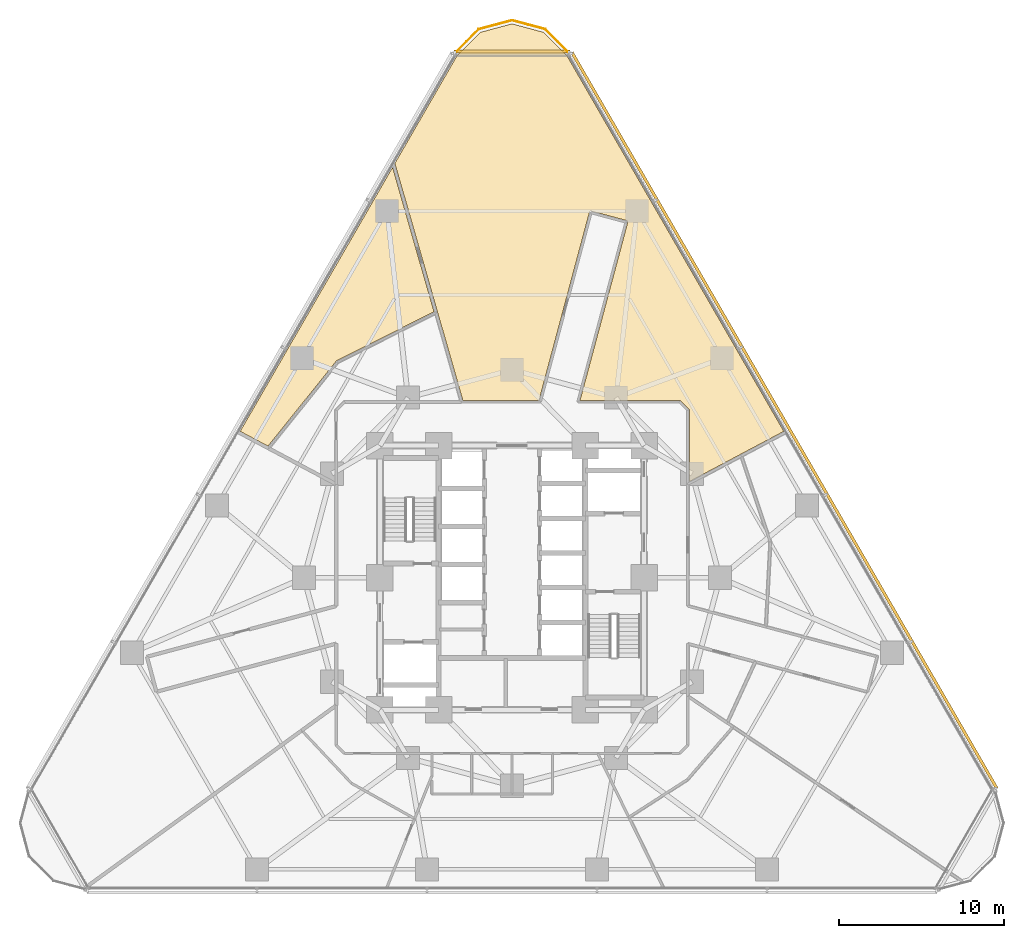
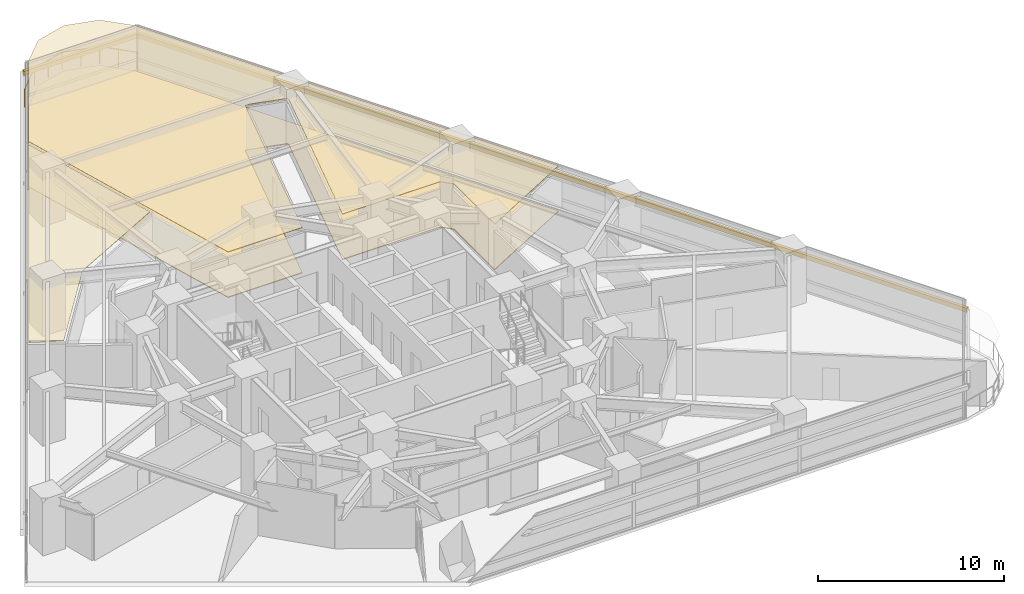
# One storey, part 16 of 16: 3 coverings, 2 shading devices, 1 railing.
"""IFC4 building model written with IfcOpenShell, lengths in metres."""

from ifc_helpers import new_model, si_unit, direction, frame, origin, origin_2d, place, context, subcontext, project, spatial, polyline, rectangle, circle, outline, extrude, material, layer, layer_set, type_object, element, save


model = new_model("IFC4")

# Units and contexts
model_context = context("Model", 3, precision=1e-05, world=origin(), true_north=direction((0.0, 1.0)))
body_context = subcontext(model_context, "Body", "Model", "MODEL_VIEW")
ifc_project = project(units=[si_unit("LENGTHUNIT", "METRE"), si_unit("AREAUNIT", "SQUARE_METRE"), si_unit("VOLUMEUNIT", "CUBIC_METRE"), si_unit("PLANEANGLEUNIT", "RADIAN"), si_unit("MASSUNIT", "GRAM", prefix="KILO")], contexts=[model_context])

# Site, building, storey
site_placement = place(None, origin())
site = spatial("IfcSite", under=ifc_project, at=site_placement, CompositionType="ELEMENT")
building_placement = place(site_placement, origin())
building = spatial("IfcBuilding", under=site, at=building_placement, Name="Terralouvre Media Tower", CompositionType="ELEMENT")
storey_placement = place(building_placement, frame((0.0, 0.0, 37.10009765625)))
storey = spatial("IfcBuildingStorey", under=building, at=storey_placement, Name="L08", CompositionType="ELEMENT", Elevation=37.10009765625)

# Coverings
ifc_material_1 = material(Name="Resilient elastomer acoustic broadcast studio flooring")
ifc_layer_1 = layer(ifc_material_1, 0.050048828125, Name="Broadcast Studio Acoustic Floating Floor FL-AC1")
ifc_layer_set_1 = layer_set([ifc_layer_1], Name="Resilient elastomer acoustic broadcast studio flooring")
covering_type_1 = type_object("IfcCoveringType", Name="Broadcast Studio Acoustic Floating Floor FL-AC1", PredefinedType="FLOORING", material=ifc_layer_set_1)
covering_1_placement = place(storey_placement, origin())
element("IfcCovering", 1, at=covering_1_placement, inside=storey, type_object=covering_type_1, Name="L08 Broadcast Floor Crew Room 1 Acoustic Floating Floor", PredefinedType="FLOORING", context=body_context, shape_type="SweptSolid", body=[
    extrude(outline(polyline([(-4.510009765625, 16.090576171875), (-2.978515625, 10.75), (1.63818359375, 10.75), (4.6904296875, 22.140869140625), (4.693359375, 22.150146484375), (4.697265625, 22.1591796875), (4.7021484375, 22.167724609375), (4.707763671875, 22.17578125), (4.714111328125, 22.183349609375), (4.72119140625, 22.190185546875), (4.728759765625, 22.1962890625), (4.737060546875, 22.20166015625), (4.74560546875, 22.2060546875), (4.7548828125, 22.209716796875), (4.764404296875, 22.21240234375), (4.77392578125, 22.214111328125), (4.78369140625, 22.21484375), (4.793701171875, 22.21484375), (4.80322265625, 22.213623046875), (4.81298828125, 22.211669921875), (6.93798828125, 21.6416015625), (6.947265625, 21.638671875), (6.956298828125, 21.634765625), (6.96484375, 21.6298828125), (6.972900390625, 21.624267578125), (6.98046875, 21.617919921875), (6.9873046875, 21.61083984375), (6.993408203125, 21.603271484375), (6.99853515625, 21.594970703125), (7.003173828125, 21.586181640625), (7.006591796875, 21.5771484375), (7.009521484375, 21.567626953125), (7.010986328125, 21.55810546875), (7.011962890625, 21.54833984375), (7.01171875, 21.53857421875), (7.0107421875, 21.52880859375), (7.008544921875, 21.51904296875), (4.122314453125, 10.75), (10.14990234375, 10.75), (10.159912109375, 10.74951171875), (10.16943359375, 10.748046875), (10.178955078125, 10.74560546875), (10.188232421875, 10.742431640625), (10.197021484375, 10.73828125), (10.20556640625, 10.733154296875), (10.21337890625, 10.727294921875), (10.220703125, 10.720703125), (10.720703125, 10.220703125), (10.727294921875, 10.21337890625), (10.733154296875, 10.20556640625), (10.73828125, 10.197021484375), (10.742431640625, 10.188232421875), (10.74560546875, 10.178955078125), (10.748046875, 10.16943359375), (10.74951171875, 10.159912109375), (10.75, 10.14990234375), (10.75, 5.829345703125), (13.839111328125, 7.47119140625), (16.468505859375, 8.86962890625), (3.3310546875, 31.62353515625), (1.9111328125, 33.043212890625), (0.0, 33.555419921875), (-1.9111328125, 33.043212890625), (-3.3310546875, 31.62353515625), (-7.09521484375, 25.104736328125), (-4.510009765625, 16.090576171875)])), origin(), (0.0, 0.0, 1.0), 0.0498046875),
])
ifc_material_2 = material(Name="Perforated aluminium acoustic ceiling baffle", Category="aluminium")
ifc_layer_2 = layer(ifc_material_2, 0.0400390625, Name="Perforated Acoustic Metal Tile Ceiling CL-AC1")
ifc_layer_set_2 = layer_set([ifc_layer_2], Name="Perforated aluminium acoustic ceiling baffle")
covering_type_2 = type_object("IfcCoveringType", Name="Perforated Acoustic Metal Tile Ceiling CL-AC1", PredefinedType="CEILING", material=ifc_layer_set_2)
covering_2_placement = place(storey_placement, frame((0.0, 0.0, 2.97998046875)))
element("IfcCovering", 2, at=covering_2_placement, inside=storey, type_object=covering_type_2, Name="L08 Broadcast Floor Crew Room 1 Acoustic Ceiling", PredefinedType="CEILING", context=body_context, shape_type="SweptSolid", body=[
    extrude(outline(polyline([(-4.510009765625, 16.090576171875), (-2.978515625, 10.75), (1.63818359375, 10.75), (4.6904296875, 22.140869140625), (4.693359375, 22.150146484375), (4.697265625, 22.1591796875), (4.7021484375, 22.167724609375), (4.707763671875, 22.17578125), (4.714111328125, 22.183349609375), (4.72119140625, 22.190185546875), (4.728759765625, 22.1962890625), (4.737060546875, 22.20166015625), (4.74560546875, 22.2060546875), (4.7548828125, 22.209716796875), (4.764404296875, 22.21240234375), (4.77392578125, 22.214111328125), (4.78369140625, 22.21484375), (4.793701171875, 22.21484375), (4.80322265625, 22.213623046875), (4.81298828125, 22.211669921875), (6.93798828125, 21.6416015625), (6.947265625, 21.638671875), (6.956298828125, 21.634765625), (6.96484375, 21.6298828125), (6.972900390625, 21.624267578125), (6.98046875, 21.617919921875), (6.9873046875, 21.61083984375), (6.993408203125, 21.603271484375), (6.99853515625, 21.594970703125), (7.003173828125, 21.586181640625), (7.006591796875, 21.5771484375), (7.009521484375, 21.567626953125), (7.010986328125, 21.55810546875), (7.011962890625, 21.54833984375), (7.01171875, 21.53857421875), (7.0107421875, 21.52880859375), (7.008544921875, 21.51904296875), (4.122314453125, 10.75), (10.14990234375, 10.75), (10.159912109375, 10.74951171875), (10.16943359375, 10.748046875), (10.178955078125, 10.74560546875), (10.188232421875, 10.742431640625), (10.197021484375, 10.73828125), (10.20556640625, 10.733154296875), (10.21337890625, 10.727294921875), (10.220703125, 10.720703125), (10.720703125, 10.220703125), (10.727294921875, 10.21337890625), (10.733154296875, 10.20556640625), (10.73828125, 10.197021484375), (10.742431640625, 10.188232421875), (10.74560546875, 10.178955078125), (10.748046875, 10.16943359375), (10.74951171875, 10.159912109375), (10.75, 10.14990234375), (10.75, 5.829345703125), (13.839111328125, 7.47119140625), (16.468505859375, 8.86962890625), (3.3310546875, 31.62353515625), (1.9111328125, 33.043212890625), (0.0, 33.555419921875), (-1.9111328125, 33.043212890625), (-3.3310546875, 31.62353515625), (-7.09521484375, 25.104736328125), (-4.510009765625, 16.090576171875)])), origin(), (0.0, 0.0, 1.0), 0.0400390625),
])
covering_3_placement = place(storey_placement, frame((0.0, 0.0, 2.97998046875)))
element("IfcCovering", 3, at=covering_3_placement, inside=storey, type_object=covering_type_2, Name="L08 Script Readout Seminar Room 11 Acoustic Ceiling", PredefinedType="CEILING", context=body_context, shape_type="SweptSolid", body=[
    extrude(outline(polyline([(-10.65087890625, 13.11865234375), (-10.643798828125, 13.126708984375), (-10.635986328125, 13.1337890625), (-10.627197265625, 13.139892578125), (-10.617919921875, 13.145263671875), (-4.72509765625, 16.114990234375), (-7.234130859375, 24.864013671875), (-16.468505859375, 8.86962890625), (-14.78125, 7.97216796875), (-10.65087890625, 13.11865234375)])), origin(), (0.0, 0.0, 1.0), 0.0400390625),
])

# Railing
ifc_material_3 = material(Name="Stainless steel 316 handrail and balustrade", Category="steel")
ifc_layer_3 = layer(ifc_material_3, 0.06005859375, Name="Roof Edge Safety Guardrail GR-ROOF1")
ifc_layer_set_3 = layer_set([ifc_layer_3], Name="Stainless steel 316 handrail and balustrade")
railing_type = type_object("IfcRailingType", Name="Roof Edge Safety Guardrail GR-ROOF1", PredefinedType="GUARDRAIL", material=ifc_layer_set_3)
railing_placement = place(storey_placement, frame((3.505859375, 31.74365234375, 0.0)))
element("IfcRailing", 4, at=railing_placement, inside=storey, type_object=railing_type, Name="L08 Wind-Corner Perimeter Safety Guardrail C2", PredefinedType="GUARDRAIL", context=body_context, shape_type="SweptSolid", body=[
    extrude(circle(Radius=0.02099609375, at=origin_2d()), frame((0.0, 0.0, 1.12890625), z_axis=(-0.706932035913, 0.707281483286, 0.0), x_axis=(-0.707281483286, -0.706932035913, 0.0)), (0.0, 0.0, 1.0), 2.095947265625),
    extrude(circle(Radius=0.02099609375, at=origin_2d()), frame((-1.481689453125, 1.482421875, 1.12890625), z_axis=(-0.965913206711, 0.258866137416, 0.0), x_axis=(-0.258866137416, -0.965913206711, 0.0)), (0.0, 0.0, 1.0), 2.095703125),
    extrude(circle(Radius=0.02099609375, at=origin_2d()), frame((-3.505859375, 2.02490234375, 1.12890625), z_axis=(-0.965913206711, -0.258866137416, 0.0), x_axis=(0.258866137416, -0.965913206711, 0.0)), (0.0, 0.0, 1.0), 2.095703125),
    extrude(circle(Radius=0.02099609375, at=origin_2d()), frame((-5.530029296875, 1.482421875, 1.12890625), z_axis=(-0.706932035913, -0.707281483286, 0.0), x_axis=(0.707281483286, -0.706932035913, 0.0)), (0.0, 0.0, 1.0), 2.095947265625),
    extrude(circle(Radius=0.01904296875, at=origin_2d()), origin(), (0.0, 0.0, 1.0), 1.10791015625),
    extrude(circle(Radius=0.01904296875, at=origin_2d()), frame((-0.74072265625, 0.7412109375, 0.0)), (0.0, 0.0, 1.0), 1.10791015625),
    extrude(circle(Radius=0.01904296875, at=origin_2d()), frame((-1.481689453125, 1.482421875, 0.0)), (0.0, 0.0, 1.0), 1.10791015625),
    extrude(circle(Radius=0.01904296875, at=origin_2d()), frame((-2.49365234375, 1.753662109375, 0.0)), (0.0, 0.0, 1.0), 1.10791015625),
    extrude(circle(Radius=0.01904296875, at=origin_2d()), frame((-3.505859375, 2.02490234375, 0.0)), (0.0, 0.0, 1.0), 1.10791015625),
    extrude(circle(Radius=0.01904296875, at=origin_2d()), frame((-4.51806640625, 1.753662109375, 0.0)), (0.0, 0.0, 1.0), 1.10791015625),
    extrude(circle(Radius=0.01904296875, at=origin_2d()), frame((-5.530029296875, 1.482421875, 0.0)), (0.0, 0.0, 1.0), 1.10791015625),
    extrude(circle(Radius=0.01904296875, at=origin_2d()), frame((-6.27099609375, 0.7412109375, 0.0)), (0.0, 0.0, 1.0), 1.10791015625),
    extrude(circle(Radius=0.01904296875, at=origin_2d()), frame((-7.01171875, 0.0, 0.0)), (0.0, 0.0, 1.0), 1.10791015625),
])

# Shading devices
ifc_material_4 = material(Name="Extruded terracotta baguette sunshade louvres", Category="masonry")
shading_device_type = type_object("IfcShadingDeviceType", Name="Terracotta Baguette Sunshade Louvre Screen TB-LV1", PredefinedType="USERDEFINED", material=ifc_material_4)
shading_device_1_placement = place(storey_placement, frame((16.503662109375, 9.5283203125, 2.02392578125), z_axis=(0.0, 0.0, 1.0), x_axis=(-0.499999985671, 0.866025412057, 0.0)))
element("IfcShadingDevice", 5, at=shading_device_1_placement, inside=storey, type_object=shading_device_type, Name="CW-L08-F1 Terracotta Baguette Sunshade Louvre", ObjectType="BAGUETTE", PredefinedType="USERDEFINED", context=body_context, shape_type="SweptSolid", body=[
    extrude(rectangle(XDim=51.5, YDim=0.179931640625, at=origin_2d()), origin(), (0.0, 0.0, 1.0), 0.280029296875),
])
shading_device_2_placement = place(storey_placement, frame((0.0, 31.87841796875, 2.02392578125), z_axis=(0.0, 0.0, 1.0), x_axis=(-1.0, 0.0, 0.0)))
element("IfcShadingDevice", 6, at=shading_device_2_placement, inside=storey, type_object=shading_device_type, Name="CW-L08-C2 Terracotta Baguette Sunshade Louvre", ObjectType="BAGUETTE", PredefinedType="USERDEFINED", context=body_context, shape_type="SweptSolid", body=[
    extrude(rectangle(XDim=7.014892578125, YDim=0.179931640625, at=origin_2d()), origin(), (0.0, 0.0, 1.0), 0.280029296875),
])

save(model, "model.ifc")
